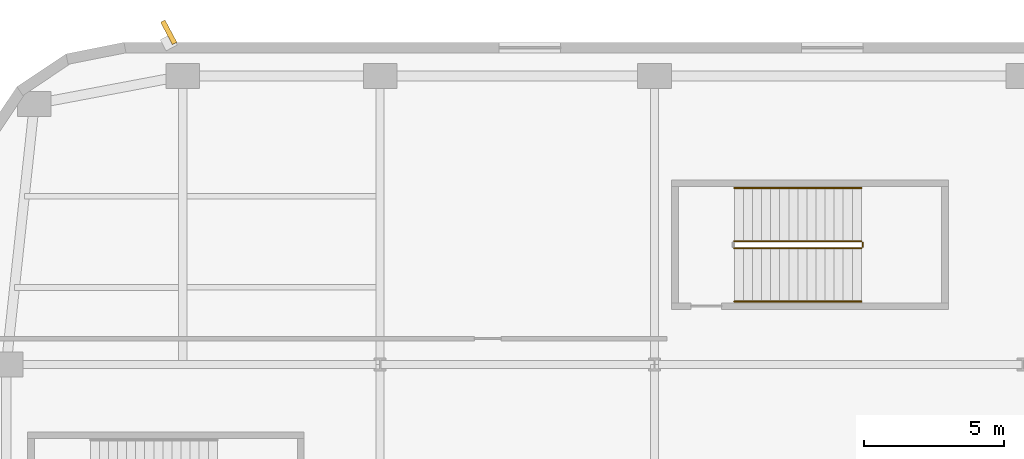
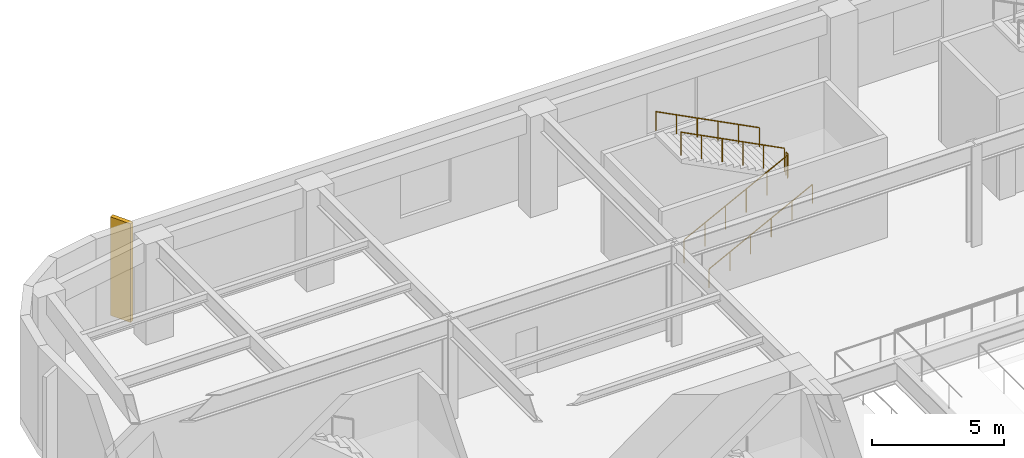
# One storey, part 19 of 22: 5 railings, 1 shading device.
"""IFC4 building model written with IfcOpenShell, lengths in metres."""

from ifc_helpers import new_model, si_unit, direction, frame, origin, origin_2d, place, context, subcontext, project, spatial, rectangle, circle, extrude, material, type_object, element, save


model = new_model("IFC4")

# Units and contexts
model_context = context("Model", 3, precision=1e-05, world=origin(), true_north=direction((0.0, 1.0)))
body_context = subcontext(model_context, "Body", "Model", "MODEL_VIEW")
ifc_project = project(units=[si_unit("LENGTHUNIT", "METRE"), si_unit("AREAUNIT", "SQUARE_METRE"), si_unit("VOLUMEUNIT", "CUBIC_METRE"), si_unit("PLANEANGLEUNIT", "RADIAN"), si_unit("MASSUNIT", "GRAM", prefix="KILO")], contexts=[model_context])

# Site, building, storey
site_placement = place(None, origin())
site = spatial("IfcSite", under=ifc_project, at=site_placement, CompositionType="ELEMENT")
building_placement = place(site_placement, origin())
building = spatial("IfcBuilding", under=site, at=building_placement, Name="Kolvaren Arena Tower", CompositionType="ELEMENT")
storey_placement = place(building_placement, frame((0.0, 0.0, 13.0)))
storey = spatial("IfcBuildingStorey", under=building, at=storey_placement, Name="L02", CompositionType="ELEMENT", Elevation=13.0)

# Railings
ifc_material_1 = material(Name="Painted galvanized steel", Category="steel")
railing_type_1 = type_object("IfcRailingType", Name="GUARD-ST-110", PredefinedType="GUARDRAIL", material=ifc_material_1)
railing_1_placement = place(storey_placement, frame((27.199951171875, 47.14990234375, 0.166748046875)))
element("IfcRailing", 1, at=railing_1_placement, inside=storey, type_object=railing_type_1, Name="L02 ST-A6 stair guard 1", PredefinedType="GUARDRAIL", context=body_context, shape_type="SweptSolid", body=[
    extrude(circle(Radius=0.02392578125, at=origin_2d()), frame((0.0, 0.0, 1.076171875), z_axis=(0.889257211316, 0.0, 0.457407490234), x_axis=(0.0, 1.0, 0.0)), (0.0, 0.0, 1.0), 5.10107421875),
    extrude(circle(Radius=0.02099609375, at=origin_2d()), origin(), (0.0, 0.0, 1.0), 1.052001953125),
    extrude(circle(Radius=0.02099609375, at=origin_2d()), frame((0.9072265625, 0.0, 0.466552734375)), (0.0, 0.0, 1.0), 1.052001953125),
    extrude(circle(Radius=0.02099609375, at=origin_2d()), frame((1.814453125, 0.0, 0.933349609375)), (0.0, 0.0, 1.0), 1.052001953125),
    extrude(circle(Radius=0.02099609375, at=origin_2d()), frame((2.7216796875, 0.0, 1.39990234375)), (0.0, 0.0, 1.0), 1.052001953125),
    extrude(circle(Radius=0.02099609375, at=origin_2d()), frame((3.62890625, 0.0, 1.86669921875)), (0.0, 0.0, 1.0), 1.052001953125),
    extrude(circle(Radius=0.02099609375, at=origin_2d()), frame((4.5361328125, 0.0, 2.333251953125)), (0.0, 0.0, 1.0), 1.052001953125),
])
railing_2_placement = place(storey_placement, frame((31.785888671875, 47.199951171875, 2.5)))
element("IfcRailing", 2, at=railing_2_placement, inside=storey, type_object=railing_type_1, Name="L02 ST-A6 stair guard 2", PredefinedType="GUARDRAIL", context=body_context, shape_type="SweptSolid", body=[
    extrude(circle(Radius=0.02392578125, at=origin_2d()), frame((0.0, 0.0, 1.076171875), z_axis=(0.0, 1.0, 0.0), x_axis=(-1.0, 0.0, 0.0)), (0.0, 0.0, 1.0), 0.150146484375),
    extrude(circle(Radius=0.02099609375, at=origin_2d()), origin(), (0.0, 0.0, 1.0), 1.052001953125),
    extrude(circle(Radius=0.02099609375, at=origin_2d()), frame((0.0, 0.150146484375, 0.0)), (0.0, 0.0, 1.0), 1.052001953125),
])
railing_3_placement = place(storey_placement, frame((31.736083984375, 47.39990234375, 2.666748046875)))
element("IfcRailing", 3, at=railing_3_placement, inside=storey, type_object=railing_type_1, Name="L02 ST-A6 stair guard 3", PredefinedType="GUARDRAIL", context=body_context, shape_type="SweptSolid", body=[
    extrude(circle(Radius=0.02392578125, at=origin_2d()), frame((0.0, 0.0, 1.076171875), z_axis=(-0.889257211316, 0.0, 0.457407490234), x_axis=(0.0, -1.0, 0.0)), (0.0, 0.0, 1.0), 5.10107421875),
    extrude(circle(Radius=0.02099609375, at=origin_2d()), origin(), (0.0, 0.0, 1.0), 1.052001953125),
    extrude(circle(Radius=0.02099609375, at=origin_2d()), frame((-0.9072265625, 0.0, 0.466552734375)), (0.0, 0.0, 1.0), 1.052001953125),
    extrude(circle(Radius=0.02099609375, at=origin_2d()), frame((-1.814453125, 0.0, 0.933349609375)), (0.0, 0.0, 1.0), 1.052001953125),
    extrude(circle(Radius=0.02099609375, at=origin_2d()), frame((-2.7216796875, 0.0, 1.39990234375)), (0.0, 0.0, 1.0), 1.052001953125),
    extrude(circle(Radius=0.02099609375, at=origin_2d()), frame((-3.62890625, 0.0, 1.86669921875)), (0.0, 0.0, 1.0), 1.052001953125),
    extrude(circle(Radius=0.02099609375, at=origin_2d()), frame((-4.5361328125, 0.0, 2.333251953125)), (0.0, 0.0, 1.0), 1.052001953125),
])
ifc_material_2 = material(Name="Brushed stainless steel handrail", Category="steel")
railing_type_2 = type_object("IfcRailingType", Name="HRAIL-900", PredefinedType="HANDRAIL", material=ifc_material_2)
railing_4_placement = place(storey_placement, frame((27.199951171875, 45.25, 0.166748046875)))
element("IfcRailing", 4, at=railing_4_placement, inside=storey, type_object=railing_type_2, Name="L02 ST-A6 stair handrail 1", PredefinedType="HANDRAIL", context=body_context, shape_type="SweptSolid", body=[
    extrude(circle(Radius=0.02392578125, at=origin_2d()), frame((0.0, 0.0, 0.8759765625), z_axis=(0.889257211316, 0.0, 0.457407490234), x_axis=(0.0, 1.0, 0.0)), (0.0, 0.0, 1.0), 5.10107421875),
    extrude(circle(Radius=0.02099609375, at=origin_2d()), origin(), (0.0, 0.0, 1.0), 0.851806640625),
    extrude(circle(Radius=0.02099609375, at=origin_2d()), frame((0.9072265625, 0.0, 0.466552734375)), (0.0, 0.0, 1.0), 0.851806640625),
    extrude(circle(Radius=0.02099609375, at=origin_2d()), frame((1.814453125, 0.0, 0.933349609375)), (0.0, 0.0, 1.0), 0.851806640625),
    extrude(circle(Radius=0.02099609375, at=origin_2d()), frame((2.7216796875, 0.0, 1.39990234375)), (0.0, 0.0, 1.0), 0.851806640625),
    extrude(circle(Radius=0.02099609375, at=origin_2d()), frame((3.62890625, 0.0, 1.86669921875)), (0.0, 0.0, 1.0), 0.851806640625),
    extrude(circle(Radius=0.02099609375, at=origin_2d()), frame((4.5361328125, 0.0, 2.333251953125)), (0.0, 0.0, 1.0), 0.851806640625),
])
railing_5_placement = place(storey_placement, frame((31.736083984375, 49.300048828125, 2.666748046875)))
element("IfcRailing", 5, at=railing_5_placement, inside=storey, type_object=railing_type_2, Name="L02 ST-A6 stair handrail 2", PredefinedType="HANDRAIL", context=body_context, shape_type="SweptSolid", body=[
    extrude(circle(Radius=0.02392578125, at=origin_2d()), frame((0.0, 0.0, 0.8759765625), z_axis=(-0.889257211316, 0.0, 0.457407490234), x_axis=(0.0, -1.0, 0.0)), (0.0, 0.0, 1.0), 5.10107421875),
    extrude(circle(Radius=0.02099609375, at=origin_2d()), origin(), (0.0, 0.0, 1.0), 0.851806640625),
    extrude(circle(Radius=0.02099609375, at=origin_2d()), frame((-0.9072265625, 0.0, 0.466552734375)), (0.0, 0.0, 1.0), 0.851806640625),
    extrude(circle(Radius=0.02099609375, at=origin_2d()), frame((-1.814453125, 0.0, 0.933349609375)), (0.0, 0.0, 1.0), 0.851806640625),
    extrude(circle(Radius=0.02099609375, at=origin_2d()), frame((-2.7216796875, 0.0, 1.39990234375)), (0.0, 0.0, 1.0), 0.851806640625),
    extrude(circle(Radius=0.02099609375, at=origin_2d()), frame((-3.62890625, 0.0, 1.86669921875)), (0.0, 0.0, 1.0), 0.851806640625),
    extrude(circle(Radius=0.02099609375, at=origin_2d()), frame((-4.5361328125, 0.0, 2.333251953125)), (0.0, 0.0, 1.0), 0.851806640625),
])

# Shading device
ifc_material_3 = material(Name="Precast architectural concrete C50/60 rib fin", Category="concrete")
shading_device_type = type_object("IfcShadingDeviceType", Name="SHAD-FIN-28", PredefinedType="USERDEFINED", material=ifc_material_3)
shading_device_placement = place(storey_placement, frame((7.0, 54.860107421875, 0.02001953125), z_axis=(0.0, 0.0, 1.0), x_axis=(-0.469471562786, 0.882947592859, 0.0)))
element("IfcShadingDevice", 6, at=shading_device_placement, inside=storey, type_object=shading_device_type, Name="Arena Podium 28-Deg Precast Fin (L02)", ObjectType="FIN", PredefinedType="USERDEFINED", context=body_context, shape_type="SweptSolid", body=[
    extrude(rectangle(XDim=0.89990234375, YDim=0.179931640625, at=origin_2d()), origin(), (0.0, 0.0, 1.0), 4.570068359375),
])

save(model, "model.ifc")
